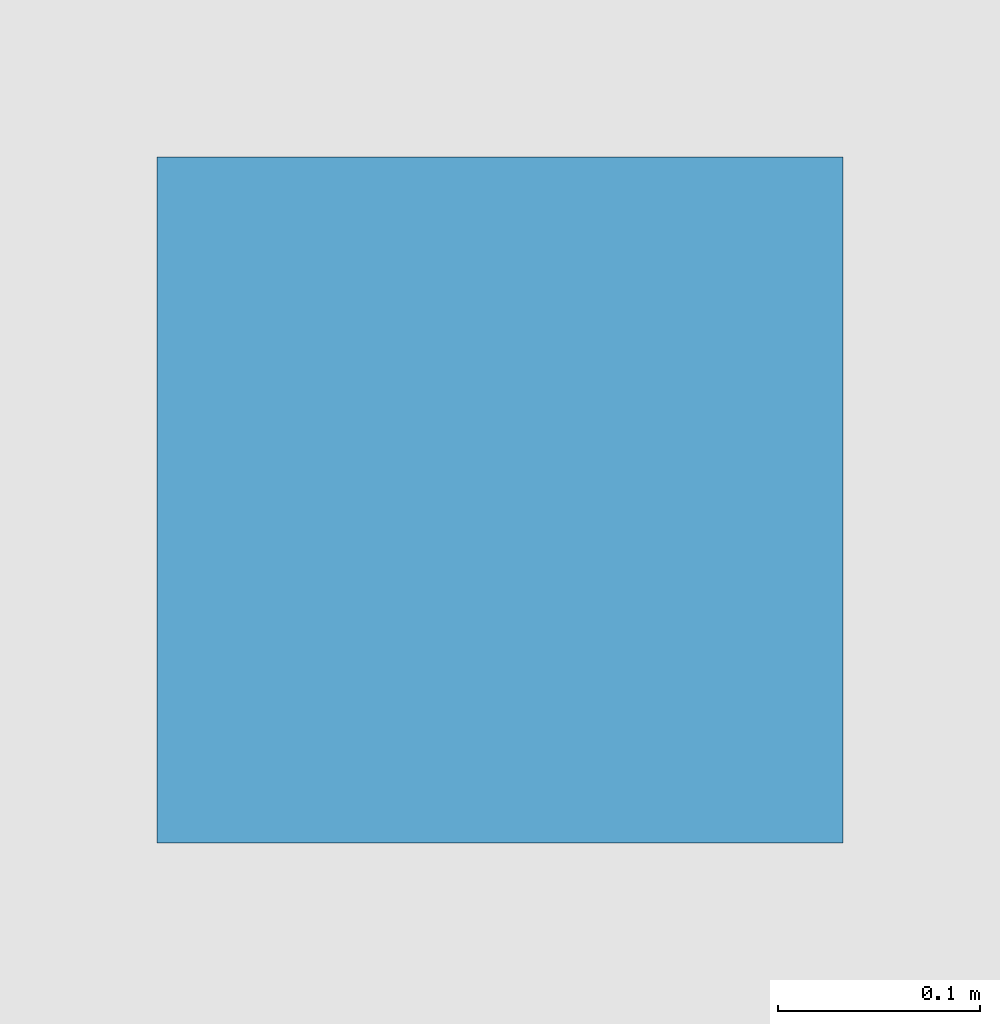
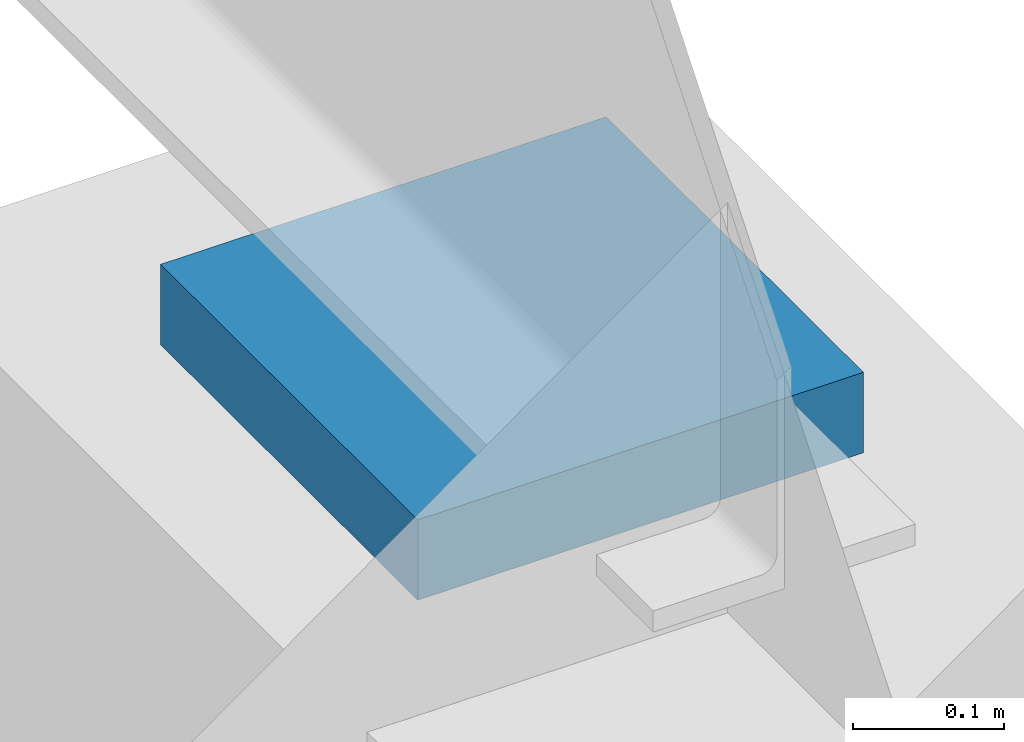
# One storey, part 97 of 106: 1 discrete accessory.
"""IFC4 building model written with IfcOpenShell, lengths in metres."""

from ifc_helpers import new_model, si_unit, direction, frame, origin, origin_2d, place, context, subcontext, project, spatial, rectangle, extrude, material, layer, layer_set, type_object, element, save


model = new_model("IFC4")

# Units and contexts
model_context = context("Model", 3, precision=1e-05, world=origin(), true_north=direction((0.0, 1.0)))
body_context = subcontext(model_context, "Body", "Model", "MODEL_VIEW")
ifc_project = project(units=[si_unit("LENGTHUNIT", "METRE"), si_unit("AREAUNIT", "SQUARE_METRE"), si_unit("VOLUMEUNIT", "CUBIC_METRE"), si_unit("PLANEANGLEUNIT", "RADIAN"), si_unit("MASSUNIT", "GRAM", prefix="KILO")], contexts=[model_context])

# Site, building, storey
site_placement = place(None, origin())
site = spatial("IfcSite", under=ifc_project, at=site_placement, CompositionType="ELEMENT")
building_placement = place(site_placement, origin())
building = spatial("IfcBuilding", under=site, at=building_placement, Name="Kisaragi Civic Commons", CompositionType="ELEMENT")
storey_placement = place(building_placement, frame((0.0, 0.0, 4.800048828125)))
storey = spatial("IfcBuildingStorey", under=building, at=storey_placement, Name="L01", CompositionType="ELEMENT", Elevation=4.800048828125)

# Discrete accessory
ifc_material = material(Name="Steel SN490 (SN490B)", Category="steel")
ifc_layer = layer(ifc_material, 0.06494140625, Name="Steel SN490 (SN490B)", Category="steel")
ifc_layer_set = layer_set([ifc_layer], Name="Steel SN490 (SN490B)")
discrete_accessory_type = type_object("IfcDiscreteAccessoryType", Name="SB-01", PredefinedType="USERDEFINED", material=ifc_layer_set)
discrete_accessory_placement = place(storey_placement, frame((133.199951171875, 25.7099609375, -0.945068359375), z_axis=(0.0, 0.0, 1.0), x_axis=(1.0, 0.0, 0.0)))
element("IfcDiscreteAccessory", 1, at=discrete_accessory_placement, inside=storey, type_object=discrete_accessory_type, Name="PTFE sliding bearing SB-01 16", ObjectType="SLIDING BEARING", PredefinedType="USERDEFINED", context=body_context, shape_type="SweptSolid", body=[
    extrude(rectangle(XDim=0.340087890625, YDim=0.340087890625, at=origin_2d()), origin(), (0.0, 0.0, 1.0), 0.06494140625),
])

save(model, "model.ifc")
